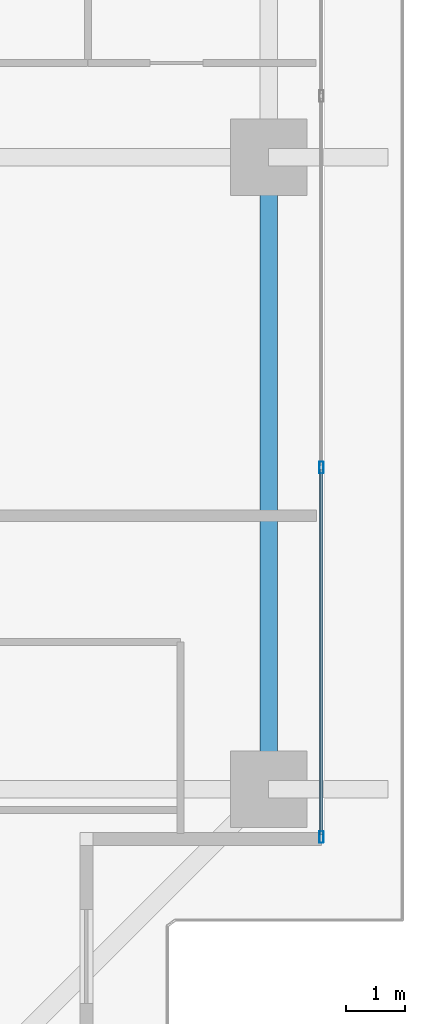
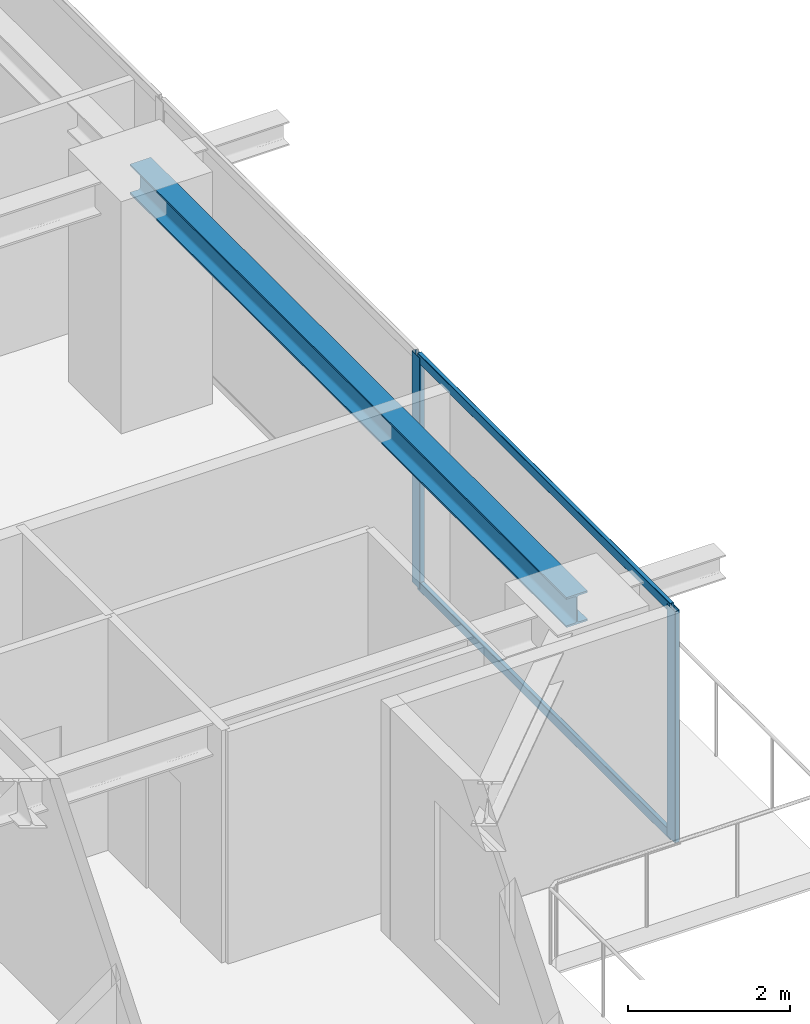
# One storey, part 14 of 37: 4 members, 1 beam, 1 element without a shape of its own.
"""IFC4 building model written with IfcOpenShell, lengths in metres."""

from ifc_helpers import new_model, si_unit, direction, frame, origin, origin_2d, place, context, subcontext, project, spatial, hollow_rectangle, i_section, extrude, source, transform, mapped, material, layer, layer_set, material_profile, profile_set, type_object, element, aggregate, save


model = new_model("IFC4")

# Units and contexts
model_context = context("Model", 3, precision=1e-05, world=origin(), true_north=direction((0.0, 1.0)))
body_context = subcontext(model_context, "Body", "Model", "MODEL_VIEW")
ifc_project = project(units=[si_unit("LENGTHUNIT", "METRE"), si_unit("AREAUNIT", "SQUARE_METRE"), si_unit("VOLUMEUNIT", "CUBIC_METRE"), si_unit("PLANEANGLEUNIT", "RADIAN"), si_unit("MASSUNIT", "GRAM", prefix="KILO")], contexts=[model_context])

# Site, building, storey
site_placement = place(None, origin())
site = spatial("IfcSite", under=ifc_project, at=site_placement, CompositionType="ELEMENT")
building_placement = place(site_placement, origin())
building = spatial("IfcBuilding", under=site, at=building_placement, Name="Serunith Strait Residences", CompositionType="ELEMENT")
storey_placement = place(building_placement, frame((0.0, 0.0, 153.89990234375)))
storey = spatial("IfcBuildingStorey", under=building, at=storey_placement, Name="L38", CompositionType="ELEMENT", Elevation=153.89990234375)

# Beam
ifc_material_1 = material(Name="Steel S355J2", Category="steel")
ifc_material_profile_1 = material_profile(ifc_material_1, i_section(OverallWidth=0.300048828125, OverallDepth=0.449951171875, WebThickness=0.013916015625, FlangeThickness=0.02587890625, FilletRadius=0.027099609375, at=origin_2d()), Name="HEB 450")
ifc_profile_set_1 = profile_set([ifc_material_profile_1], Name="Steel S355J2")
beam_type = type_object("IfcBeamType", Name="BM-HEB450", PredefinedType="BEAM", material=ifc_profile_set_1)
shared_shape_1 = source(origin(), body_context, "Body", "SweptSolid", [
    extrude(i_section(OverallWidth=0.300048828125, OverallDepth=0.449951171875, WebThickness=0.013916015625, FlangeThickness=0.02587890625, FilletRadius=0.027099609375, at=origin_2d()), origin(), (0.0, 0.0, 1.0), 10.75),
])
beam_placement = place(storey_placement, frame((56.10009765625, 10.25, 3.26220703125), z_axis=(0.0, 1.0, 0.0), x_axis=(-1.0, 0.0, 0.0)))
element("IfcBeam", 1, at=beam_placement, inside=storey, type_object=beam_type, Name="L38 Perimeter Ring Beam 05", PredefinedType="BEAM", context=body_context, shape_type="MappedRepresentation", body=[
    mapped(shared_shape_1, transform((0.0, 0.0, 0.0), scale=1.0)),
])

# Curtain wall, members
ifc_material_2 = material(Name="Pale-Champagne Anodised Aluminium", Category="aluminium")
ifc_layer = layer(ifc_material_2, 0.199951171875, Name="Pale-Champagne Anodised Aluminium")
ifc_layer_set = layer_set([ifc_layer], Name="Pale-Champagne Anodised Aluminium")
curtain_wall_type = type_object("IfcCurtainWallType", Name="CW-SYS2", PredefinedType="NOTDEFINED", material=ifc_layer_set)
curtain_wall_placement = place(storey_placement, origin())
curtain_wall = element("IfcCurtainWall", 2, at=curtain_wall_placement, inside=storey, type_object=curtain_wall_type, Name="L38 E Unitised Fritted Curtain Wall", PredefinedType="NOTDEFINED")
ifc_material_profile_2 = material_profile(ifc_material_2, hollow_rectangle(XDim=0.070068359375, YDim=0.199951171875, WallThickness=0.00390625, InnerFilletRadius=0.006103515625, OuterFilletRadius=0.010009765625, at=origin_2d()), Name="ALU 200x70x4")
ifc_profile_set_2 = profile_set([ifc_material_profile_2], Name="Pale-Champagne Anodised Aluminium")
member_type_1 = type_object("IfcMemberType", Name="CW-SYS2-MULL", PredefinedType="MULLION", material=ifc_profile_set_2)
shared_shape_2 = source(origin(), body_context, "Body", "SweptSolid", [
    extrude(hollow_rectangle(XDim=0.070068359375, YDim=0.199951171875, WallThickness=0.00390625, InnerFilletRadius=0.006103515625, OuterFilletRadius=0.010009765625, at=origin_2d()), origin(), (0.0, 0.0, 1.0), 3.47509765625),
])
member_1_placement = place(storey_placement, frame((57.0, 9.43505859375, 0.0), z_axis=(0.0, 0.0, 1.0), x_axis=(-1.0, 0.0, 0.0)))
member_1 = element("IfcMember", 3, at=member_1_placement, type_object=member_type_1, Name="CW-2 mullion 1", PredefinedType="MULLION", context=body_context, shape_type="MappedRepresentation", body=[
    mapped(shared_shape_2, transform((0.0, 0.0, 0.0), scale=1.0)),
])
member_2_placement = place(storey_placement, frame((57.0, 15.719970703125, 0.0), z_axis=(0.0, 0.0, 1.0), x_axis=(-1.0, 0.0, 0.0)))
member_2 = element("IfcMember", 4, at=member_2_placement, type_object=member_type_1, Name="CW-2 mullion 2", PredefinedType="MULLION", context=body_context, shape_type="MappedRepresentation", body=[
    mapped(shared_shape_2, transform((0.0, 0.0, 0.0), scale=1.0)),
])
ifc_material_profile_3 = material_profile(ifc_material_2, hollow_rectangle(XDim=0.06005859375, YDim=0.139892578125, WallThickness=0.00341796875, InnerFilletRadius=0.00537109375, OuterFilletRadius=0.0087890625, at=origin_2d()), Name="ALU 140x60x3.5")
ifc_profile_set_3 = profile_set([ifc_material_profile_3], Name="Pale-Champagne Anodised Aluminium")
member_type_2 = type_object("IfcMemberType", Name="CW-SYS2-TRAN", PredefinedType="USERDEFINED", material=ifc_profile_set_3)
shared_shape_3 = source(origin(), body_context, "Body", "SweptSolid", [
    extrude(hollow_rectangle(XDim=0.06005859375, YDim=0.139892578125, WallThickness=0.00341796875, InnerFilletRadius=0.00537109375, OuterFilletRadius=0.0087890625, at=origin_2d()), origin(), (0.0, 0.0, 1.0), 6.215087890625),
])
member_3_placement = place(storey_placement, frame((57.0, 9.469970703125, 0.030029296875), z_axis=(0.0, 1.0, 0.0), x_axis=(-1.0, 0.0, 0.0)))
member_3 = element("IfcMember", 5, at=member_3_placement, type_object=member_type_2, Name="CW-2 transom 1.1", ObjectType="TRANSOM", PredefinedType="USERDEFINED", context=body_context, shape_type="MappedRepresentation", body=[
    mapped(shared_shape_3, transform((0.0, 0.0, 0.0), scale=1.0)),
])
member_4_placement = place(storey_placement, frame((57.0, 9.469970703125, 3.445068359375), z_axis=(0.0, 1.0, 0.0), x_axis=(-1.0, 0.0, 0.0)))
member_4 = element("IfcMember", 6, at=member_4_placement, type_object=member_type_2, Name="CW-2 transom 1.2", ObjectType="TRANSOM", PredefinedType="USERDEFINED", context=body_context, shape_type="MappedRepresentation", body=[
    mapped(shared_shape_3, transform((0.0, 0.0, 0.0), scale=1.0)),
])
aggregate(curtain_wall, [member_1, member_2, member_3, member_4])

save(model, "model.ifc")
